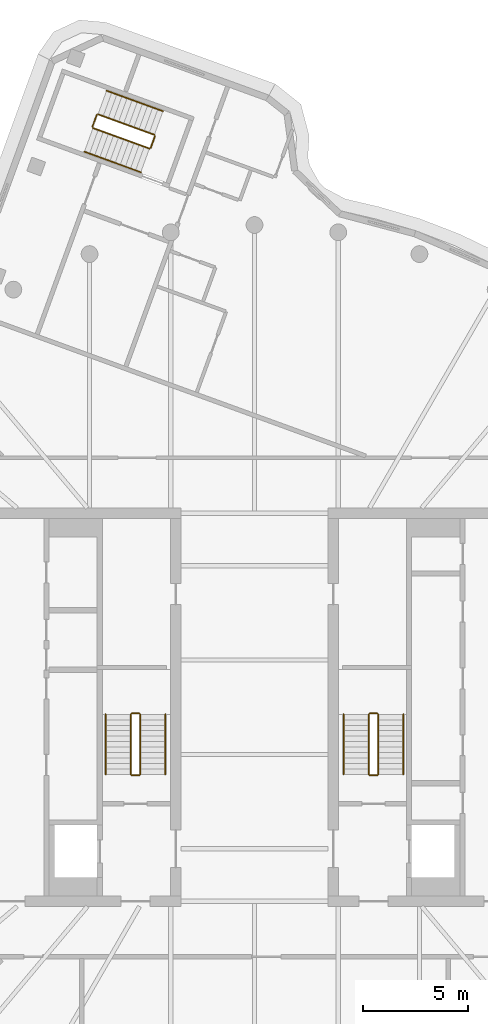
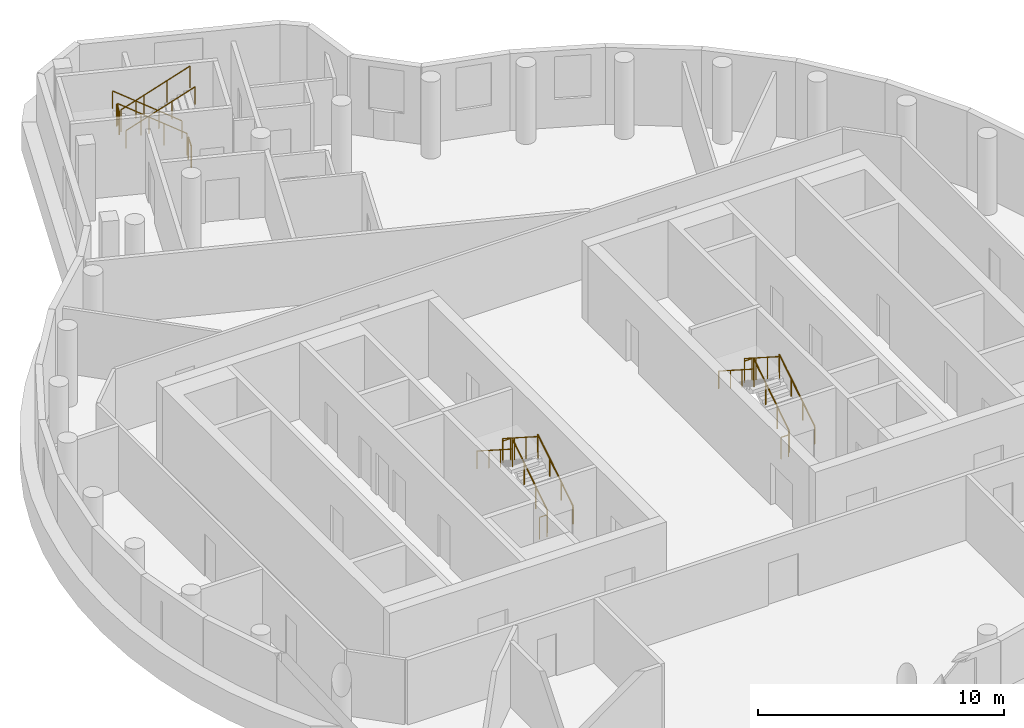
# One storey, part 7 of 7: 18 railings.
"""IFC4 building model written with IfcOpenShell, lengths in metres."""

from ifc_helpers import new_model, si_unit, direction, frame, origin, origin_2d, place, context, subcontext, project, spatial, circle, extrude, material, type_object, element, save


model = new_model("IFC4")

# Units and contexts
model_context = context("Model", 3, precision=1e-05, world=origin(), true_north=direction((0.0, 1.0)))
body_context = subcontext(model_context, "Body", "Model", "MODEL_VIEW")
ifc_project = project(units=[si_unit("LENGTHUNIT", "METRE"), si_unit("AREAUNIT", "SQUARE_METRE"), si_unit("VOLUMEUNIT", "CUBIC_METRE"), si_unit("PLANEANGLEUNIT", "RADIAN"), si_unit("MASSUNIT", "GRAM", prefix="KILO")], contexts=[model_context])

# Site, building, storey
site_placement = place(None, origin())
site = spatial("IfcSite", under=ifc_project, at=site_placement, CompositionType="ELEMENT")
building_placement = place(site_placement, origin())
building = spatial("IfcBuilding", under=site, at=building_placement, Name="Tamarind Cross Interchange Tower", CompositionType="ELEMENT")
storey_placement = place(building_placement, frame((0.0, 0.0, 305.39990234375)))
storey = spatial("IfcBuildingStorey", under=building, at=storey_placement, Name="L75", CompositionType="ELEMENT", Elevation=305.39990234375)

# Railings
ifc_material_1 = material(Name="Stair guard")
railing_type_1 = type_object("IfcRailingType", Name="Stair guard", PredefinedType="GUARDRAIL", material=ifc_material_1)
railing_1_placement = place(storey_placement, frame((-5.449951171875, -3.199951171875, 0.166748046875)))
element("IfcRailing", 1, at=railing_1_placement, inside=storey, type_object=railing_type_1, Name="L75 ST1 stair guard 1", PredefinedType="GUARDRAIL", context=body_context, shape_type="SweptSolid", body=[
    extrude(circle(Radius=0.02392578125, at=origin_2d()), frame((0.0, 0.0, 1.076171875), z_axis=(0.0, 0.841878301714, 0.539667420827), x_axis=(-1.0, 0.0, 0.0)), (0.0, 0.0, 1.0), 3.39697265625),
    extrude(circle(Radius=0.02099609375, at=origin_2d()), origin(), (0.0, 0.0, 1.0), 1.052001953125),
    extrude(circle(Radius=0.02099609375, at=origin_2d()), frame((0.0, 0.953369140625, 0.611083984375)), (0.0, 0.0, 1.0), 1.052001953125),
    extrude(circle(Radius=0.02099609375, at=origin_2d()), frame((0.0, 1.906494140625, 1.22216796875)), (0.0, 0.0, 1.0), 1.052001953125),
    extrude(circle(Radius=0.02099609375, at=origin_2d()), frame((0.0, 2.85986328125, 1.833251953125)), (0.0, 0.0, 1.0), 1.052001953125),
])
railing_2_placement = place(storey_placement, frame((-5.5, -0.2900390625, 2.0)))
element("IfcRailing", 2, at=railing_2_placement, inside=storey, type_object=railing_type_1, Name="L75 ST1 stair guard 2", PredefinedType="GUARDRAIL", context=body_context, shape_type="SweptSolid", body=[
    extrude(circle(Radius=0.02392578125, at=origin_2d()), frame((0.0, 0.0, 1.076171875), z_axis=(-1.0, 0.0, 0.0), x_axis=(0.0, -1.0, 0.0)), (0.0, 0.0, 1.0), 0.35009765625),
    extrude(circle(Radius=0.02099609375, at=origin_2d()), origin(), (0.0, 0.0, 1.0), 1.052001953125),
    extrude(circle(Radius=0.02099609375, at=origin_2d()), frame((-0.35009765625, 0.0, 0.0)), (0.0, 0.0, 1.0), 1.052001953125),
])
railing_3_placement = place(storey_placement, frame((-5.89990234375, -0.340087890625, 2.166748046875)))
element("IfcRailing", 3, at=railing_3_placement, inside=storey, type_object=railing_type_1, Name="L75 ST1 stair guard 3", PredefinedType="GUARDRAIL", context=body_context, shape_type="SweptSolid", body=[
    extrude(circle(Radius=0.02392578125, at=origin_2d()), frame((0.0, 0.0, 1.076171875), z_axis=(0.0, -0.841878301714, 0.539667420827), x_axis=(1.0, 0.0, 0.0)), (0.0, 0.0, 1.0), 3.39697265625),
    extrude(circle(Radius=0.02099609375, at=origin_2d()), origin(), (0.0, 0.0, 1.0), 1.052001953125),
    extrude(circle(Radius=0.02099609375, at=origin_2d()), frame((0.0, -0.953369140625, 0.611083984375)), (0.0, 0.0, 1.0), 1.052001953125),
    extrude(circle(Radius=0.02099609375, at=origin_2d()), frame((0.0, -1.906494140625, 1.22216796875)), (0.0, 0.0, 1.0), 1.052001953125),
    extrude(circle(Radius=0.02099609375, at=origin_2d()), frame((0.0, -2.85986328125, 1.833251953125)), (0.0, 0.0, 1.0), 1.052001953125),
])
railing_4_placement = place(storey_placement, frame((-5.5, -3.25, 0.0)))
element("IfcRailing", 4, at=railing_4_placement, inside=storey, type_object=railing_type_1, Name="L75 ST1 stair guard 4", PredefinedType="GUARDRAIL", context=body_context, shape_type="SweptSolid", body=[
    extrude(circle(Radius=0.02392578125, at=origin_2d()), frame((0.0, 0.0, 1.076171875), z_axis=(-1.0, 0.0, 0.0), x_axis=(0.0, -1.0, 0.0)), (0.0, 0.0, 1.0), 0.35009765625),
    extrude(circle(Radius=0.02099609375, at=origin_2d()), origin(), (0.0, 0.0, 1.0), 1.052001953125),
    extrude(circle(Radius=0.02099609375, at=origin_2d()), frame((-0.35009765625, 0.0, 0.0)), (0.0, 0.0, 1.0), 1.052001953125),
])
railing_5_placement = place(storey_placement, frame((5.89990234375, -3.199951171875, 0.166748046875)))
element("IfcRailing", 5, at=railing_5_placement, inside=storey, type_object=railing_type_1, Name="L75 ST2 stair guard 1", PredefinedType="GUARDRAIL", context=body_context, shape_type="SweptSolid", body=[
    extrude(circle(Radius=0.02392578125, at=origin_2d()), frame((0.0, 0.0, 1.076171875), z_axis=(0.0, 0.841878301714, 0.539667420827), x_axis=(-1.0, 0.0, 0.0)), (0.0, 0.0, 1.0), 3.39697265625),
    extrude(circle(Radius=0.02099609375, at=origin_2d()), origin(), (0.0, 0.0, 1.0), 1.052001953125),
    extrude(circle(Radius=0.02099609375, at=origin_2d()), frame((0.0, 0.953369140625, 0.611083984375)), (0.0, 0.0, 1.0), 1.052001953125),
    extrude(circle(Radius=0.02099609375, at=origin_2d()), frame((0.0, 1.906494140625, 1.22216796875)), (0.0, 0.0, 1.0), 1.052001953125),
    extrude(circle(Radius=0.02099609375, at=origin_2d()), frame((0.0, 2.85986328125, 1.833251953125)), (0.0, 0.0, 1.0), 1.052001953125),
])
railing_6_placement = place(storey_placement, frame((5.85009765625, -0.2900390625, 2.0)))
element("IfcRailing", 6, at=railing_6_placement, inside=storey, type_object=railing_type_1, Name="L75 ST2 stair guard 2", PredefinedType="GUARDRAIL", context=body_context, shape_type="SweptSolid", body=[
    extrude(circle(Radius=0.02392578125, at=origin_2d()), frame((0.0, 0.0, 1.076171875), z_axis=(-1.0, 0.0, 0.0), x_axis=(0.0, -1.0, 0.0)), (0.0, 0.0, 1.0), 0.35009765625),
    extrude(circle(Radius=0.02099609375, at=origin_2d()), origin(), (0.0, 0.0, 1.0), 1.052001953125),
    extrude(circle(Radius=0.02099609375, at=origin_2d()), frame((-0.35009765625, 0.0, 0.0)), (0.0, 0.0, 1.0), 1.052001953125),
])
railing_7_placement = place(storey_placement, frame((5.449951171875, -0.340087890625, 2.166748046875)))
element("IfcRailing", 7, at=railing_7_placement, inside=storey, type_object=railing_type_1, Name="L75 ST2 stair guard 3", PredefinedType="GUARDRAIL", context=body_context, shape_type="SweptSolid", body=[
    extrude(circle(Radius=0.02392578125, at=origin_2d()), frame((0.0, 0.0, 1.076171875), z_axis=(0.0, -0.841878301714, 0.539667420827), x_axis=(1.0, 0.0, 0.0)), (0.0, 0.0, 1.0), 3.39697265625),
    extrude(circle(Radius=0.02099609375, at=origin_2d()), origin(), (0.0, 0.0, 1.0), 1.052001953125),
    extrude(circle(Radius=0.02099609375, at=origin_2d()), frame((0.0, -0.953369140625, 0.611083984375)), (0.0, 0.0, 1.0), 1.052001953125),
    extrude(circle(Radius=0.02099609375, at=origin_2d()), frame((0.0, -1.906494140625, 1.22216796875)), (0.0, 0.0, 1.0), 1.052001953125),
    extrude(circle(Radius=0.02099609375, at=origin_2d()), frame((0.0, -2.85986328125, 1.833251953125)), (0.0, 0.0, 1.0), 1.052001953125),
])
railing_8_placement = place(storey_placement, frame((5.85009765625, -3.25, 0.0)))
element("IfcRailing", 8, at=railing_8_placement, inside=storey, type_object=railing_type_1, Name="L75 ST2 stair guard 4", PredefinedType="GUARDRAIL", context=body_context, shape_type="SweptSolid", body=[
    extrude(circle(Radius=0.02392578125, at=origin_2d()), frame((0.0, 0.0, 1.076171875), z_axis=(-1.0, 0.0, 0.0), x_axis=(0.0, -1.0, 0.0)), (0.0, 0.0, 1.0), 0.35009765625),
    extrude(circle(Radius=0.02099609375, at=origin_2d()), origin(), (0.0, 0.0, 1.0), 1.052001953125),
    extrude(circle(Radius=0.02099609375, at=origin_2d()), frame((-0.35009765625, 0.0, 0.0)), (0.0, 0.0, 1.0), 1.052001953125),
])
railing_9_placement = place(storey_placement, frame((-4.7744140625, 27.302490234375, 0.166748046875)))
element("IfcRailing", 9, at=railing_9_placement, inside=storey, type_object=railing_type_1, Name="L75 ST4 stair guard 1", PredefinedType="GUARDRAIL", context=body_context, shape_type="SweptSolid", body=[
    extrude(circle(Radius=0.02392578125, at=origin_2d()), frame((0.0, 0.0, 1.076171875), z_axis=(-0.791109245406, 0.287970089602, 0.539647467638), x_axis=(-0.342051474784, -0.939681216476, 0.0)), (0.0, 0.0, 1.0), 3.397216796875),
    extrude(circle(Radius=0.02099609375, at=origin_2d()), origin(), (0.0, 0.0, 1.0), 1.052001953125),
    extrude(circle(Radius=0.02099609375, at=origin_2d()), frame((-0.895751953125, 0.326171875, 0.611083984375)), (0.0, 0.0, 1.0), 1.052001953125),
    extrude(circle(Radius=0.02099609375, at=origin_2d()), frame((-1.791748046875, 0.652099609375, 1.22216796875)), (0.0, 0.0, 1.0), 1.052001953125),
    extrude(circle(Radius=0.02099609375, at=origin_2d()), frame((-2.6875, 0.978271484375, 1.833251953125)), (0.0, 0.0, 1.0), 1.052001953125),
])
railing_10_placement = place(storey_placement, frame((-7.526123046875, 28.250732421875, 2.0)))
element("IfcRailing", 10, at=railing_10_placement, inside=storey, type_object=railing_type_1, Name="L75 ST4 stair guard 2", PredefinedType="GUARDRAIL", context=body_context, shape_type="SweptSolid", body=[
    extrude(circle(Radius=0.02392578125, at=origin_2d()), frame((0.0, 0.0, 1.076171875), z_axis=(-0.341873772729, -0.939745882417, 0.0), x_axis=(0.939745882417, -0.341873772729, 0.0)), (0.0, 0.0, 1.0), 0.599853515625),
    extrude(circle(Radius=0.02099609375, at=origin_2d()), origin(), (0.0, 0.0, 1.0), 1.052001953125),
    extrude(circle(Radius=0.02099609375, at=origin_2d()), frame((-0.205078125, -0.563720703125, 0.0)), (0.0, 0.0, 1.0), 1.052001953125),
])
railing_11_placement = place(storey_placement, frame((-7.701416015625, 27.622802734375, 2.166748046875)))
element("IfcRailing", 11, at=railing_11_placement, inside=storey, type_object=railing_type_1, Name="L75 ST4 stair guard 3", PredefinedType="GUARDRAIL", context=body_context, shape_type="SweptSolid", body=[
    extrude(circle(Radius=0.02392578125, at=origin_2d()), frame((0.0, 0.0, 1.076171875), z_axis=(0.791125616254, -0.287904180479, 0.539658634852), x_axis=(0.34197609546, 0.939708651729, 0.0)), (0.0, 0.0, 1.0), 3.39697265625),
    extrude(circle(Radius=0.02099609375, at=origin_2d()), origin(), (0.0, 0.0, 1.0), 1.052001953125),
    extrude(circle(Radius=0.02099609375, at=origin_2d()), frame((0.895751953125, -0.325927734375, 0.611083984375)), (0.0, 0.0, 1.0), 1.052001953125),
    extrude(circle(Radius=0.02099609375, at=origin_2d()), frame((1.791748046875, -0.652099609375, 1.22216796875)), (0.0, 0.0, 1.0), 1.052001953125),
    extrude(circle(Radius=0.02099609375, at=origin_2d()), frame((2.6875, -0.97802734375, 1.833251953125)), (0.0, 0.0, 1.0), 1.052001953125),
])
railing_12_placement = place(storey_placement, frame((-4.74462890625, 27.238525390625, 0.0)))
element("IfcRailing", 12, at=railing_12_placement, inside=storey, type_object=railing_type_1, Name="L75 ST4 stair guard 4", PredefinedType="GUARDRAIL", context=body_context, shape_type="SweptSolid", body=[
    extrude(circle(Radius=0.02392578125, at=origin_2d()), frame((0.0, 0.0, 1.076171875), z_axis=(-0.341743063087, -0.939793423488, 0.0), x_axis=(0.939793423488, -0.341743063087, 0.0)), (0.0, 0.0, 1.0), 0.60009765625),
    extrude(circle(Radius=0.02099609375, at=origin_2d()), origin(), (0.0, 0.0, 1.0), 1.052001953125),
    extrude(circle(Radius=0.02099609375, at=origin_2d()), frame((-0.205078125, -0.56396484375, 0.0)), (0.0, 0.0, 1.0), 1.052001953125),
])
ifc_material_2 = material(Name="Stair handrail")
railing_type_2 = type_object("IfcRailingType", Name="Stair handrail", PredefinedType="HANDRAIL", material=ifc_material_2)
railing_13_placement = place(storey_placement, frame((-4.25, -3.199951171875, 0.166748046875)))
element("IfcRailing", 13, at=railing_13_placement, inside=storey, type_object=railing_type_2, Name="L75 ST1 stair handrail 1", PredefinedType="HANDRAIL", context=body_context, shape_type="SweptSolid", body=[
    extrude(circle(Radius=0.02392578125, at=origin_2d()), frame((0.0, 0.0, 0.8759765625), z_axis=(0.0, 0.841878301714, 0.539667420827), x_axis=(-1.0, 0.0, 0.0)), (0.0, 0.0, 1.0), 3.39697265625),
    extrude(circle(Radius=0.02099609375, at=origin_2d()), origin(), (0.0, 0.0, 1.0), 0.851806640625),
    extrude(circle(Radius=0.02099609375, at=origin_2d()), frame((0.0, 0.953369140625, 0.611083984375)), (0.0, 0.0, 1.0), 0.851806640625),
    extrude(circle(Radius=0.02099609375, at=origin_2d()), frame((0.0, 1.906494140625, 1.22216796875)), (0.0, 0.0, 1.0), 0.851806640625),
    extrude(circle(Radius=0.02099609375, at=origin_2d()), frame((0.0, 2.85986328125, 1.833251953125)), (0.0, 0.0, 1.0), 0.851806640625),
])
railing_14_placement = place(storey_placement, frame((-7.10009765625, -0.340087890625, 2.166748046875)))
element("IfcRailing", 14, at=railing_14_placement, inside=storey, type_object=railing_type_2, Name="L75 ST1 stair handrail 2", PredefinedType="HANDRAIL", context=body_context, shape_type="SweptSolid", body=[
    extrude(circle(Radius=0.02392578125, at=origin_2d()), frame((0.0, 0.0, 0.8759765625), z_axis=(0.0, -0.841878301714, 0.539667420827), x_axis=(1.0, 0.0, 0.0)), (0.0, 0.0, 1.0), 3.39697265625),
    extrude(circle(Radius=0.02099609375, at=origin_2d()), origin(), (0.0, 0.0, 1.0), 0.851806640625),
    extrude(circle(Radius=0.02099609375, at=origin_2d()), frame((0.0, -0.953369140625, 0.611083984375)), (0.0, 0.0, 1.0), 0.851806640625),
    extrude(circle(Radius=0.02099609375, at=origin_2d()), frame((0.0, -1.906494140625, 1.22216796875)), (0.0, 0.0, 1.0), 0.851806640625),
    extrude(circle(Radius=0.02099609375, at=origin_2d()), frame((0.0, -2.85986328125, 1.833251953125)), (0.0, 0.0, 1.0), 0.851806640625),
])
railing_15_placement = place(storey_placement, frame((7.10009765625, -3.199951171875, 0.166748046875)))
element("IfcRailing", 15, at=railing_15_placement, inside=storey, type_object=railing_type_2, Name="L75 ST2 stair handrail 1", PredefinedType="HANDRAIL", context=body_context, shape_type="SweptSolid", body=[
    extrude(circle(Radius=0.02392578125, at=origin_2d()), frame((0.0, 0.0, 0.8759765625), z_axis=(0.0, 0.841878301714, 0.539667420827), x_axis=(-1.0, 0.0, 0.0)), (0.0, 0.0, 1.0), 3.39697265625),
    extrude(circle(Radius=0.02099609375, at=origin_2d()), origin(), (0.0, 0.0, 1.0), 0.851806640625),
    extrude(circle(Radius=0.02099609375, at=origin_2d()), frame((0.0, 0.953369140625, 0.611083984375)), (0.0, 0.0, 1.0), 0.851806640625),
    extrude(circle(Radius=0.02099609375, at=origin_2d()), frame((0.0, 1.906494140625, 1.22216796875)), (0.0, 0.0, 1.0), 0.851806640625),
    extrude(circle(Radius=0.02099609375, at=origin_2d()), frame((0.0, 2.85986328125, 1.833251953125)), (0.0, 0.0, 1.0), 0.851806640625),
])
railing_16_placement = place(storey_placement, frame((4.25, -0.340087890625, 2.166748046875)))
element("IfcRailing", 16, at=railing_16_placement, inside=storey, type_object=railing_type_2, Name="L75 ST2 stair handrail 2", PredefinedType="HANDRAIL", context=body_context, shape_type="SweptSolid", body=[
    extrude(circle(Radius=0.02392578125, at=origin_2d()), frame((0.0, 0.0, 0.8759765625), z_axis=(0.0, -0.841878301714, 0.539667420827), x_axis=(1.0, 0.0, 0.0)), (0.0, 0.0, 1.0), 3.39697265625),
    extrude(circle(Radius=0.02099609375, at=origin_2d()), origin(), (0.0, 0.0, 1.0), 0.851806640625),
    extrude(circle(Radius=0.02099609375, at=origin_2d()), frame((0.0, -0.953369140625, 0.611083984375)), (0.0, 0.0, 1.0), 0.851806640625),
    extrude(circle(Radius=0.02099609375, at=origin_2d()), frame((0.0, -1.906494140625, 1.22216796875)), (0.0, 0.0, 1.0), 0.851806640625),
    extrude(circle(Radius=0.02099609375, at=origin_2d()), frame((0.0, -2.85986328125, 1.833251953125)), (0.0, 0.0, 1.0), 0.851806640625),
])
railing_17_placement = place(storey_placement, frame((-4.364013671875, 28.43017578125, 0.166748046875)))
element("IfcRailing", 17, at=railing_17_placement, inside=storey, type_object=railing_type_2, Name="L75 ST4 stair handrail 1", PredefinedType="HANDRAIL", context=body_context, shape_type="SweptSolid", body=[
    extrude(circle(Radius=0.02392578125, at=origin_2d()), frame((0.0, 0.0, 0.8759765625), z_axis=(-0.791125616254, 0.287904180479, 0.539658634852), x_axis=(-0.34197609546, -0.939708651729, 0.0)), (0.0, 0.0, 1.0), 3.39697265625),
    extrude(circle(Radius=0.02099609375, at=origin_2d()), origin(), (0.0, 0.0, 1.0), 0.851806640625),
    extrude(circle(Radius=0.02099609375, at=origin_2d()), frame((-0.895751953125, 0.325927734375, 0.611083984375)), (0.0, 0.0, 1.0), 0.851806640625),
    extrude(circle(Radius=0.02099609375, at=origin_2d()), frame((-1.791748046875, 0.652099609375, 1.22216796875)), (0.0, 0.0, 1.0), 0.851806640625),
    extrude(circle(Radius=0.02099609375, at=origin_2d()), frame((-2.6875, 0.97802734375, 1.833251953125)), (0.0, 0.0, 1.0), 0.851806640625),
])
railing_18_placement = place(storey_placement, frame((-8.11181640625, 26.4951171875, 2.166748046875)))
element("IfcRailing", 18, at=railing_18_placement, inside=storey, type_object=railing_type_2, Name="L75 ST4 stair handrail 2", PredefinedType="HANDRAIL", context=body_context, shape_type="SweptSolid", body=[
    extrude(circle(Radius=0.02392578125, at=origin_2d()), frame((0.0, 0.0, 0.8759765625), z_axis=(0.791125616254, -0.287904180479, 0.539658634852), x_axis=(0.34197609546, 0.939708651729, 0.0)), (0.0, 0.0, 1.0), 3.39697265625),
    extrude(circle(Radius=0.02099609375, at=origin_2d()), origin(), (0.0, 0.0, 1.0), 0.851806640625),
    extrude(circle(Radius=0.02099609375, at=origin_2d()), frame((0.895751953125, -0.325927734375, 0.611083984375)), (0.0, 0.0, 1.0), 0.851806640625),
    extrude(circle(Radius=0.02099609375, at=origin_2d()), frame((1.791748046875, -0.652099609375, 1.22216796875)), (0.0, 0.0, 1.0), 0.851806640625),
    extrude(circle(Radius=0.02099609375, at=origin_2d()), frame((2.6875, -0.97802734375, 1.833251953125)), (0.0, 0.0, 1.0), 0.851806640625),
])

save(model, "model.ifc")
